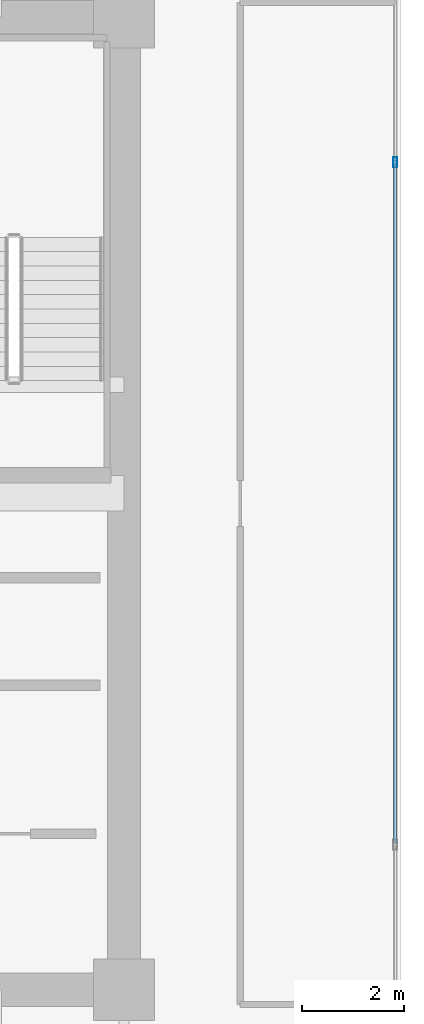
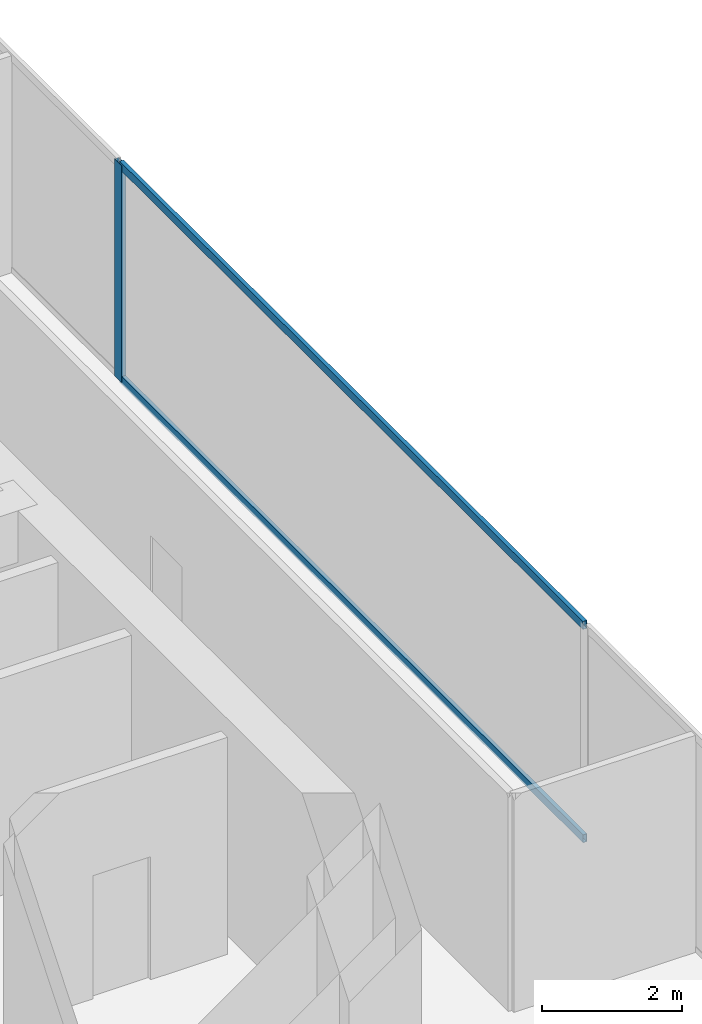
# One storey, part 22 of 30: 3 members, 1 element without a shape of its own.
"""IFC4 building model written with IfcOpenShell, lengths in metres."""

import ifcopenshell
import ifcopenshell.guid

model = None  # the IFC model being written
_history = None  # IfcOwnerHistory: only IFC2X3 demands one
_inside = {}  # id of a spatial element -> (the spatial element, [elements in it])
_under = {}  # id of a project, library or spatial element -> (it, [spatial elements below it])
_declared = {}  # id of a project -> (the project, [libraries it declares])
_typed = {}  # id of a type object -> (the type object, [elements of that type])
_made_of = {}  # id of a material, layer set ... -> (it, [elements and type objects made of it])


def new_model(schema):
    """Start an empty IFC model of exactly this schema.

    Asked for "IFC4X3", IfcOpenShell would pick the latest addendum, in which some entities
    have other attributes; the version numbers below select the first issue.
    IFC2X3 requires an IfcOwnerHistory on every rooted entity: one is made here for all.
    """
    global model, _history
    if schema == "IFC4X3":
        model = ifcopenshell.file(schema_version=(4, 3, 0, 0))
    else:
        model = ifcopenshell.file(schema=schema)
    _inside.clear()
    _under.clear()
    _declared.clear()
    _typed.clear()
    _made_of.clear()
    _history = None
    if model.schema == "IFC2X3":
        org = make("IfcOrganization", Name="unknown")
        user = make(
            "IfcPersonAndOrganization",
            ThePerson=make("IfcPerson", FamilyName="unknown"),
            TheOrganization=org,
        )
        app = make(
            "IfcApplication",
            ApplicationDeveloper=org,
            Version="unknown",
            ApplicationFullName="unknown",
            ApplicationIdentifier="unknown",
        )
        _history = make(
            "IfcOwnerHistory",
            OwningUser=user,
            OwningApplication=app,
            ChangeAction="ADDED",
            CreationDate=0,
        )
    return model


def make(cls, **values):
    """One entity of the class cls with the attributes given. An attribute that is None is left unset."""
    return model.create_entity(
        cls, **{name: value for name, value in values.items() if value is not None}
    )


def rooted(cls, **values):
    """An entity with a GlobalId (a new one), such as an element, a storey or a relation."""
    return make(cls, GlobalId=ifcopenshell.guid.new(), OwnerHistory=_history, **values)


def si_unit(unit_type, name, prefix=None):
    """IfcSIUnit, for example si_unit("LENGTHUNIT", "METRE", prefix="MILLI")."""
    return make("IfcSIUnit", UnitType=unit_type, Prefix=prefix, Name=name)


def assignment(units):
    """IfcUnitAssignment: the units of a project."""
    return None if units is None else make("IfcUnitAssignment", Units=units)


def point(xyz):
    """IfcCartesianPoint."""
    return None if xyz is None else make("IfcCartesianPoint", Coordinates=xyz)


def direction(xyz):
    """IfcDirection."""
    return None if xyz is None else make("IfcDirection", DirectionRatios=xyz)


def frame(location, z_axis=None, x_axis=None):
    """IfcAxis2Placement3D, a coordinate frame: its origin and axes. An axis left out is left unset."""
    return make(
        "IfcAxis2Placement3D",
        Location=point(location),
        Axis=direction(z_axis),
        RefDirection=direction(x_axis),
    )


def frame_2d(location, x_axis=None):
    """IfcAxis2Placement2D, a coordinate frame in the plane: its origin and x axis."""
    return make(
        "IfcAxis2Placement2D", Location=point(location), RefDirection=direction(x_axis)
    )


def origin():
    """The frame at (0, 0, 0) with its axes left unset."""
    return frame((0.0, 0.0, 0.0))


def origin_2d():
    """The frame at (0, 0) in the plane with its x axis left unset."""
    return frame_2d((0.0, 0.0))


def place(relative_to, where):
    """IfcLocalPlacement: puts the frame where relative to a parent placement (None: the world)."""
    return make(
        "IfcLocalPlacement", PlacementRelTo=relative_to, RelativePlacement=where
    )


def context(
    kind, dimensions, precision=None, world=None, true_north=None, identifier=None
):
    """IfcGeometricRepresentationContext, for example the 3D "Model" context."""
    return make(
        "IfcGeometricRepresentationContext",
        ContextIdentifier=identifier,
        ContextType=kind,
        CoordinateSpaceDimension=dimensions,
        Precision=precision,
        WorldCoordinateSystem=world,
        TrueNorth=true_north,
    )


def subcontext(parent, identifier, kind, view, scale=None):
    """IfcGeometricRepresentationSubContext, for example "Body" below "Model"."""
    return make(
        "IfcGeometricRepresentationSubContext",
        ContextIdentifier=identifier,
        ContextType=kind,
        ParentContext=parent,
        TargetScale=scale,
        TargetView=view,
    )


def project(units=None, contexts=None):
    """IfcProject with its units and contexts."""
    return rooted(
        "IfcProject",
        Name="project",
        RepresentationContexts=contexts,
        UnitsInContext=assignment(units),
    )


def spatial(cls, under=None, at=None, **own):
    """A site, building, storey or space (cls), placed at a placement, below another one or the project."""
    s = rooted(cls, ObjectPlacement=at, **own)
    if under is not None:
        _under.setdefault(under.id(), (under, []))[1].append(s)
    return s


def profile(cls, at=None, kind="AREA", **sizes):
    """A parametric profile (cls). Its sizes go by their IFC names, for example OverallWidth=200.0."""
    return make(cls, ProfileType=kind, Position=at, **sizes)


def hollow_rectangle(**sizes):
    """IfcRectangleHollowProfileDef."""
    return profile("IfcRectangleHollowProfileDef", **sizes)


def extrude(swept, where, along, depth):
    """IfcExtrudedAreaSolid: the profile swept, set in the frame where, extruded along a direction by depth."""
    return make(
        "IfcExtrudedAreaSolid",
        SweptArea=swept,
        Position=where,
        ExtrudedDirection=direction(along),
        Depth=depth,
    )


def shape(context_of_items, identifier, shape_type, items):
    """IfcShapeRepresentation: the items that make up one representation, for example the "Body"."""
    return make(
        "IfcShapeRepresentation",
        ContextOfItems=context_of_items,
        RepresentationIdentifier=identifier,
        RepresentationType=shape_type,
        Items=items,
    )


def source(mapping_origin, context_of_items, identifier, shape_type, items):
    """IfcRepresentationMap: a shape defined once, which mapped items show again and again."""
    return make(
        "IfcRepresentationMap",
        MappingOrigin=mapping_origin,
        MappedRepresentation=shape(context_of_items, identifier, shape_type, items),
    )


def transform(
    local_origin,
    x_axis=None,
    y_axis=None,
    z_axis=None,
    scale=None,
    scale2=None,
    scale3=None,
    uniform=True,
):
    """IfcCartesianTransformationOperator3D, or its non-uniform kind. x_axis, y_axis, z_axis: its Axis1, 2, 3."""
    if uniform:
        return make(
            "IfcCartesianTransformationOperator3D",
            Axis1=direction(x_axis),
            Axis2=direction(y_axis),
            LocalOrigin=point(local_origin),
            Scale=scale,
            Axis3=direction(z_axis),
        )
    return make(
        "IfcCartesianTransformationOperator3DnonUniform",
        Axis1=direction(x_axis),
        Axis2=direction(y_axis),
        LocalOrigin=point(local_origin),
        Scale=scale,
        Axis3=direction(z_axis),
        Scale2=scale2,
        Scale3=scale3,
    )


def mapped(mapping_source, mapping_target):
    """IfcMappedItem: shows the shape of a source again, moved by a transform."""
    return make(
        "IfcMappedItem", MappingSource=mapping_source, MappingTarget=mapping_target
    )


def material(Name=None, Category=None):
    """IfcMaterial."""
    return make("IfcMaterial", Name=Name, Category=Category)


def layer(
    of_material, thickness, ventilated=None, Name=None, Category=None, Priority=None
):
    """IfcMaterialLayer: one layer of a wall or slab, of a material (None: an air gap)."""
    return make(
        "IfcMaterialLayer",
        Material=of_material,
        LayerThickness=thickness,
        IsVentilated=ventilated,
        Name=Name,
        Category=Category,
        Priority=Priority,
    )


def layer_set(layers, Name=None):
    """IfcMaterialLayerSet."""
    return make("IfcMaterialLayerSet", MaterialLayers=layers, LayerSetName=Name)


def material_profile(
    of_material, cross_section, Name=None, Category=None, Priority=None
):
    """IfcMaterialProfile: a cross section and its material."""
    return make(
        "IfcMaterialProfile",
        Name=Name,
        Material=of_material,
        Profile=cross_section,
        Priority=Priority,
        Category=Category,
    )


def profile_set(profiles, Name=None, composite=None):
    """IfcMaterialProfileSet."""
    return make(
        "IfcMaterialProfileSet",
        Name=Name,
        MaterialProfiles=profiles,
        CompositeProfile=composite,
    )


def made_of(thing, what):
    """Note that an element or type object is made of a material, layer set ...; save() writes the relation."""
    if what is not None:
        _made_of.setdefault(what.id(), (what, []))[1].append(thing)
    return thing


def type_object(cls, material=None, **own):
    """A type object (cls), such as IfcWallType, which elements share."""
    return made_of(rooted(cls, **own), material)


def type_shapes(of_type, sources):
    """Give a type object the sources (RepresentationMaps) that its elements show as mapped items."""
    of_type.RepresentationMaps = sources


def element(
    cls,
    number,
    at=None,
    inside=None,
    cuts=None,
    type_object=None,
    material=None,
    context=None,
    identifier="Body",
    shape_type=None,
    held_by="IfcProductDefinitionShape",
    body=None,
    shapes=None,
    **own,
):
    """One element of the class cls, such as IfcWall. Its Tag is "e" and its number.

    at: its placement. inside: the storey or other place that contains it. cuts: it is an
    opening in that element (IfcRelVoidsElement). A single representation is given by context,
    identifier, shape_type and body (its items); several are given by shapes. held_by: the class
    of the entity that holds the representations. save() writes the other relations.
    """
    e = rooted(cls, Tag="e%d" % number, ObjectPlacement=at, **own)
    if body is not None:
        shapes = [shape(context, identifier, shape_type, body)]
    if shapes is not None:
        e.Representation = make(held_by, Representations=shapes)
    if inside is not None:
        _inside.setdefault(inside.id(), (inside, []))[1].append(e)
    if cuts is not None:
        rooted(
            "IfcRelVoidsElement", RelatingBuildingElement=cuts, RelatedOpeningElement=e
        )
    if type_object is not None:
        _typed.setdefault(type_object.id(), (type_object, []))[1].append(e)
    return made_of(e, material)


def aggregate(whole, parts):
    """IfcRelAggregates: a whole, such as a stair, and the parts it consists of."""
    return rooted("IfcRelAggregates", RelatingObject=whole, RelatedObjects=parts)


def save(model, path):
    """Write the relations noted so far, then the file.

    IfcRelAggregates (storeys below a building ...), IfcRelContainedInSpatialStructure (elements
    in a storey), IfcRelDefinesByType, IfcRelAssociatesMaterial and IfcRelDeclares: one each for
    every whole, place, type object, material and project.
    """
    for whole, parts in _under.values():
        aggregate(whole, parts)
    for where, things in _inside.values():
        rooted(
            "IfcRelContainedInSpatialStructure",
            RelatedElements=things,
            RelatingStructure=where,
        )
    for kind, things in _typed.values():
        rooted("IfcRelDefinesByType", RelatedObjects=things, RelatingType=kind)
    for what, things in _made_of.values():
        rooted("IfcRelAssociatesMaterial", RelatedObjects=things, RelatingMaterial=what)
    for by, libraries in _declared.values():
        rooted("IfcRelDeclares", RelatingContext=by, RelatedDefinitions=libraries)
    model.write(path)


model = new_model("IFC4")

# Units and contexts
model_context = context("Model", 3, precision=1e-05, world=origin(), true_north=direction((0.0, 1.0)))
body_context = subcontext(model_context, "Body", "Model", "MODEL_VIEW")
ifc_project = project(units=[si_unit("LENGTHUNIT", "METRE"), si_unit("AREAUNIT", "SQUARE_METRE"), si_unit("VOLUMEUNIT", "CUBIC_METRE"), si_unit("PLANEANGLEUNIT", "RADIAN"), si_unit("MASSUNIT", "GRAM", prefix="KILO")], contexts=[model_context])

# Site, building, storey
site_placement = place(None, origin())
site = spatial("IfcSite", under=ifc_project, at=site_placement, CompositionType="ELEMENT")
building_placement = place(site_placement, origin())
building = spatial("IfcBuilding", under=site, at=building_placement, Name="Haelvirn Gate Laboratories", CompositionType="ELEMENT")
storey_placement = place(building_placement, frame((0.0, 0.0, 125.60009765625)))
storey = spatial("IfcBuildingStorey", under=building, at=storey_placement, Name="L30", CompositionType="ELEMENT", Elevation=125.60009765625)

# Curtain wall, members
ifc_material_1 = material(Name="Anodised bronze unitised aluminium & triple low-E glass", Category="aluminium")
ifc_layer = layer(ifc_material_1, 0.179931640625, Name="CW-SYS-3")
ifc_layer_set = layer_set([ifc_layer], Name="Anodised bronze unitised aluminium & triple low-E glass")
curtain_wall_type = type_object("IfcCurtainWallType", Name="CW-SYS-3", PredefinedType="NOTDEFINED", material=ifc_layer_set)
curtain_wall_placement = place(storey_placement, origin())
curtain_wall = element("IfcCurtainWall", 1, at=curtain_wall_placement, inside=storey, type_object=curtain_wall_type, Name="L30 Unitised Curtain Wall CW-L30-P0-E07", PredefinedType="NOTDEFINED")
ifc_material_2 = material(Name="Extruded aluminium 6063-T6 (anodised bronze)", Category="aluminium")
ifc_material_profile_1 = material_profile(ifc_material_2, hollow_rectangle(XDim=0.06494140625, YDim=0.139892578125, WallThickness=0.00390625, at=origin_2d()), Name="CWT-140x65x4")
ifc_profile_set_1 = profile_set([ifc_material_profile_1], Name="Extruded aluminium 6063-T6 (anodised bronze)")
member_type_1 = type_object("IfcMemberType", Name="CWT-T140", PredefinedType="USERDEFINED", material=ifc_profile_set_1)
shared_shape_1 = source(origin(), body_context, "Body", "SweptSolid", [
    extrude(hollow_rectangle(XDim=0.06494140625, YDim=0.139892578125, WallThickness=0.00390625, at=origin_2d()), origin(), (0.0, 0.0, 1.0), 13.25830078125),
])
type_shapes(member_type_1, [shared_shape_1])
member_1_placement = place(storey_placement, frame((72.699951171875, 17.6708984375, 0.032470703125), z_axis=(0.0, 1.0, 0.0), x_axis=(-1.0, 0.0, 0.0)))
member_1 = element("IfcMember", 2, at=member_1_placement, type_object=member_type_1, Name="CW3 transom 2.1", ObjectType="TRANSOM", PredefinedType="USERDEFINED", context=body_context, shape_type="MappedRepresentation", body=[
    mapped(shared_shape_1, transform((0.0, 0.0, 0.0), scale=1.0)),
])
member_2_placement = place(storey_placement, frame((72.699951171875, 17.6708984375, 3.75732421875), z_axis=(0.0, 1.0, 0.0), x_axis=(-1.0, 0.0, 0.0)))
member_2 = element("IfcMember", 3, at=member_2_placement, type_object=member_type_1, Name="CW3 transom 2.2", ObjectType="TRANSOM", PredefinedType="USERDEFINED", context=body_context, shape_type="MappedRepresentation", body=[
    mapped(shared_shape_1, transform((0.0, 0.0, 0.0), scale=1.0)),
])
ifc_material_profile_2 = material_profile(ifc_material_2, hollow_rectangle(XDim=0.074951171875, YDim=0.199951171875, WallThickness=0.0048828125, at=origin_2d()), Name="CWM-200x75x5")
ifc_profile_set_2 = profile_set([ifc_material_profile_2], Name="Extruded aluminium 6063-T6 (anodised bronze)")
member_type_2 = type_object("IfcMemberType", Name="CWM-T200", PredefinedType="MULLION", material=ifc_profile_set_2)
shared_shape_2 = source(origin(), body_context, "Body", "SweptSolid", [
    extrude(hollow_rectangle(XDim=0.074951171875, YDim=0.199951171875, WallThickness=0.0048828125, at=origin_2d()), origin(), (0.0, 0.0, 1.0), 3.789794921875),
])
type_shapes(member_type_2, [shared_shape_2])
member_3_placement = place(storey_placement, frame((72.699951171875, 30.966552734375, 0.0), z_axis=(0.0, 0.0, 1.0), x_axis=(-1.0, 0.0, 0.0)))
member_3 = element("IfcMember", 4, at=member_3_placement, type_object=member_type_2, Name="CW3 mullion 3", PredefinedType="MULLION", context=body_context, shape_type="MappedRepresentation", body=[
    mapped(shared_shape_2, transform((0.0, 0.0, 0.0), scale=1.0)),
])
aggregate(curtain_wall, [member_3, member_1, member_2])

save(model, "model.ifc")
